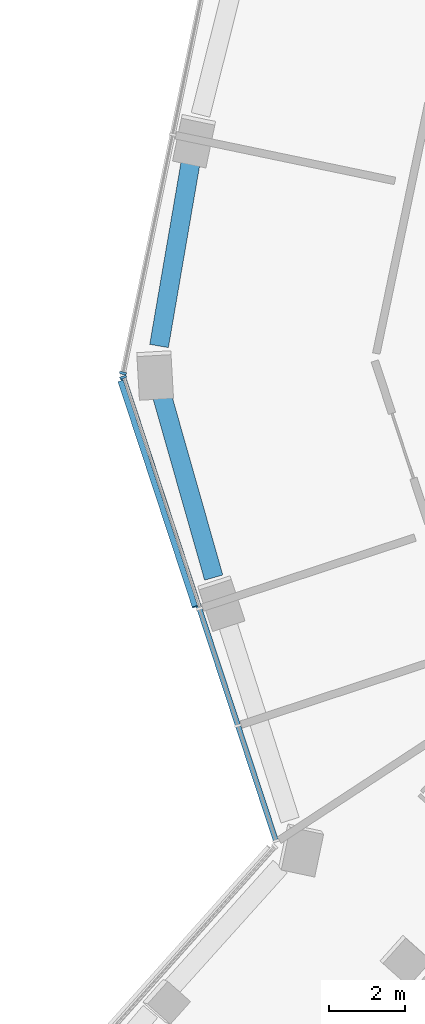
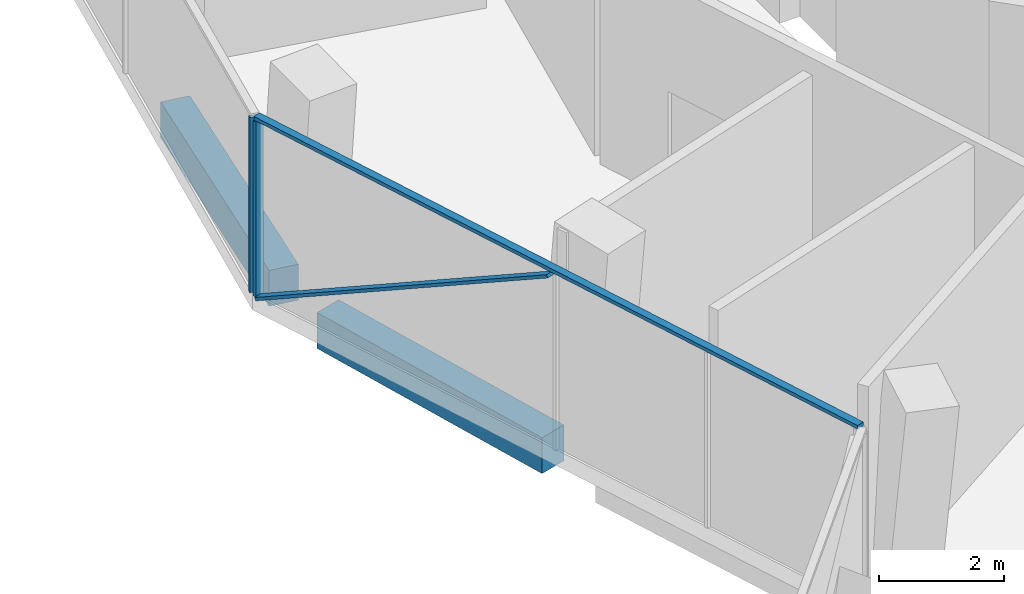
# One storey, part 4 of 21: 4 members, 2 beams, 2 elements without a shape of their own.
"""IFC4 building model written with IfcOpenShell, lengths in metres."""

from ifc_helpers import new_model, si_unit, direction, frame, origin, origin_2d, place, context, subcontext, project, spatial, rectangle, extrude, material, layer, layer_set, material_profile, profile_set, type_object, element, aggregate, save


model = new_model("IFC4")

# Units and contexts
model_context = context("Model", 3, precision=1e-05, world=origin(), true_north=direction((0.0, 1.0)))
body_context = subcontext(model_context, "Body", "Model", "MODEL_VIEW")
ifc_project = project(units=[si_unit("LENGTHUNIT", "METRE"), si_unit("AREAUNIT", "SQUARE_METRE"), si_unit("VOLUMEUNIT", "CUBIC_METRE"), si_unit("PLANEANGLEUNIT", "RADIAN"), si_unit("MASSUNIT", "GRAM", prefix="KILO")], contexts=[model_context])

# Site, building, storey
site_placement = place(None, origin())
site = spatial("IfcSite", under=ifc_project, at=site_placement, CompositionType="ELEMENT")
building_placement = place(site_placement, origin())
building = spatial("IfcBuilding", under=site, at=building_placement, Name="Verdalira Terraces Hotel", CompositionType="ELEMENT")
storey_placement = place(building_placement, frame((0.0, 0.0, 107.0)))
storey = spatial("IfcBuildingStorey", under=building, at=storey_placement, Name="L25", CompositionType="ELEMENT", Elevation=107.0)

# Curtain wall, member
ifc_material_1 = material(Name="Clear glass", Category="glass")
ifc_layer = layer(ifc_material_1, 0.179931640625)
ifc_layer_set = layer_set([ifc_layer], Name="CW4 curtain wall")
curtain_wall_type = type_object("IfcCurtainWallType", Name="CW4 curtain wall", PredefinedType="NOTDEFINED", material=ifc_layer_set)
curtain_wall_1_placement = place(storey_placement, origin())
curtain_wall_1 = element("IfcCurtainWall", 1, at=curtain_wall_1_placement, inside=storey, type_object=curtain_wall_type, Name="CW4 curtain wall L25 edge 12", PredefinedType="NOTDEFINED")
ifc_material_2 = material(Name="Terracotta frame", Category="masonry")
ifc_material_profile_1 = material_profile(ifc_material_2, rectangle(XDim=0.064941, YDim=0.179932, at=origin_2d()), Name="MU 65x180")
ifc_profile_set_1 = profile_set([ifc_material_profile_1], Name="Terracotta frame")
member_type_1 = type_object("IfcMemberType", Name="CW4 mullion 65x180", PredefinedType="MULLION", material=ifc_profile_set_1)
member_1_placement = place(storey_placement, frame((-25.000488, -1.360352, 0.0), z_axis=(0.0, 0.0, 1.0), x_axis=(-0.203812624, -0.979009915, 0.0)))
member_1 = element("IfcMember", 2, at=member_1_placement, type_object=member_type_1, Name="CW4 mullion", PredefinedType="MULLION", context=body_context, shape_type="SweptSolid", body=[
    extrude(rectangle(XDim=0.064941, YDim=0.179932, at=origin_2d()), origin(), (0.0, 0.0, 1.0), 3.419922),
])
aggregate(curtain_wall_1, [member_1])

# Curtain wall, members
curtain_wall_2_placement = place(storey_placement, origin())
curtain_wall_2 = element("IfcCurtainWall", 3, at=curtain_wall_2_placement, inside=storey, type_object=curtain_wall_type, Name="CW4 curtain wall L25 edge 13", PredefinedType="NOTDEFINED")
member_2_placement = place(storey_placement, frame((-24.994141, -1.469727, 0.0), z_axis=(0.0, 0.0, 1.0), x_axis=(0.312998048, -0.949753769, 0.0)))
member_2 = element("IfcMember", 4, at=member_2_placement, type_object=member_type_1, Name="CW4 mullion", PredefinedType="MULLION", context=body_context, shape_type="SweptSolid", body=[
    extrude(rectangle(XDim=0.064941, YDim=0.179932, at=origin_2d()), origin(), (0.0, 0.0, 1.0), 3.419922),
])
ifc_material_3 = material(Name="Terracotta frame", Category="masonry")
ifc_material_profile_2 = material_profile(ifc_material_3, rectangle(XDim=0.139893, YDim=0.070068, at=origin_2d()), Name="TR 70x140")
ifc_profile_set_2 = profile_set([ifc_material_profile_2], Name="Terracotta frame")
member_type_2 = type_object("IfcMemberType", Name="CW4 transom 70x140", PredefinedType="USERDEFINED", material=ifc_profile_set_2)
member_3_placement = place(storey_placement, frame((-25.004395, -1.438721, 3.455078), z_axis=(0.313000298, -0.949753028, 0.0), x_axis=(0.949753028, 0.313000298, 0.0)))
member_3 = element("IfcMember", 5, at=member_3_placement, type_object=member_type_2, Name="CW4 transom", ObjectType="TRANSOM", PredefinedType="USERDEFINED", context=body_context, shape_type="SweptSolid", body=[
    extrude(rectangle(XDim=0.139893, YDim=0.070068, at=origin_2d()), origin(), (0.0, 0.0, 1.0), 12.942627),
])
ifc_material_4 = material(Name="Terracotta frame", Category="masonry")
ifc_material_profile_3 = material_profile(ifc_material_4, rectangle(XDim=0.149902, YDim=0.060059, at=origin_2d()), Name="GB 60x150")
ifc_profile_set_3 = profile_set([ifc_material_profile_3], Name="Terracotta frame")
member_type_3 = type_object("IfcMemberType", Name="Diagonal glazing bar 60x150", PredefinedType="USERDEFINED", material=ifc_profile_set_3)
member_4_placement = place(storey_placement, frame((-25.056396, -1.578125, 0.027344), z_axis=(0.275689952, -0.836550346, 0.473474993), x_axis=(0.949754144, 0.312996911, 0.0)))
member_4 = element("IfcMember", 6, at=member_4_placement, type_object=member_type_3, Name="Diagonal glazing bar", ObjectType="GLAZING BAR", PredefinedType="USERDEFINED", context=body_context, shape_type="SweptSolid", body=[
    extrude(rectangle(XDim=0.149902, YDim=0.060059, at=origin_2d()), origin(), (0.0, 0.0, 1.0), 7.107422),
])
aggregate(curtain_wall_2, [member_2, member_3, member_4])

# Beams
ifc_material_5 = material(Name="Concrete C70", Category="concrete")
ifc_material_profile_4 = material_profile(ifc_material_5, rectangle(XDim=0.5, YDim=0.699951, at=origin_2d()), Name="RC 500X700")
ifc_profile_set_4 = profile_set([ifc_material_profile_4], Name="Concrete C70")
beam_type = type_object("IfcBeamType", Name="Spandrel beam RC 500X700 C70", PredefinedType="SPANDREL", material=ifc_profile_set_4)
beam_1_placement = place(storey_placement, frame((-23.197998, 4.295654, -0.659912), z_axis=(-0.1693099, -0.985562863, 0.0), x_axis=(0.985562863, -0.1693099, 0.0)))
element("IfcBeam", 7, at=beam_1_placement, inside=storey, type_object=beam_type, Name="Spandrel beam B07", PredefinedType="SPANDREL", context=body_context, shape_type="SweptSolid", body=[
    extrude(rectangle(XDim=0.5, YDim=0.699951, at=origin_2d()), origin(), (0.0, 0.0, 1.0), 5.012207),
])
beam_2_placement = place(storey_placement, frame((-23.976074, -1.93042, -0.659912), z_axis=(0.273383556, -0.961905105, 0.0), x_axis=(0.961905105, 0.273383556, 0.0)))
element("IfcBeam", 8, at=beam_2_placement, inside=storey, type_object=beam_type, Name="Spandrel beam B08", PredefinedType="SPANDREL", context=body_context, shape_type="SweptSolid", body=[
    extrude(rectangle(XDim=0.5, YDim=0.699951, at=origin_2d()), origin(), (0.0, 0.0, 1.0), 5.015381),
])

save(model, "model.ifc")
